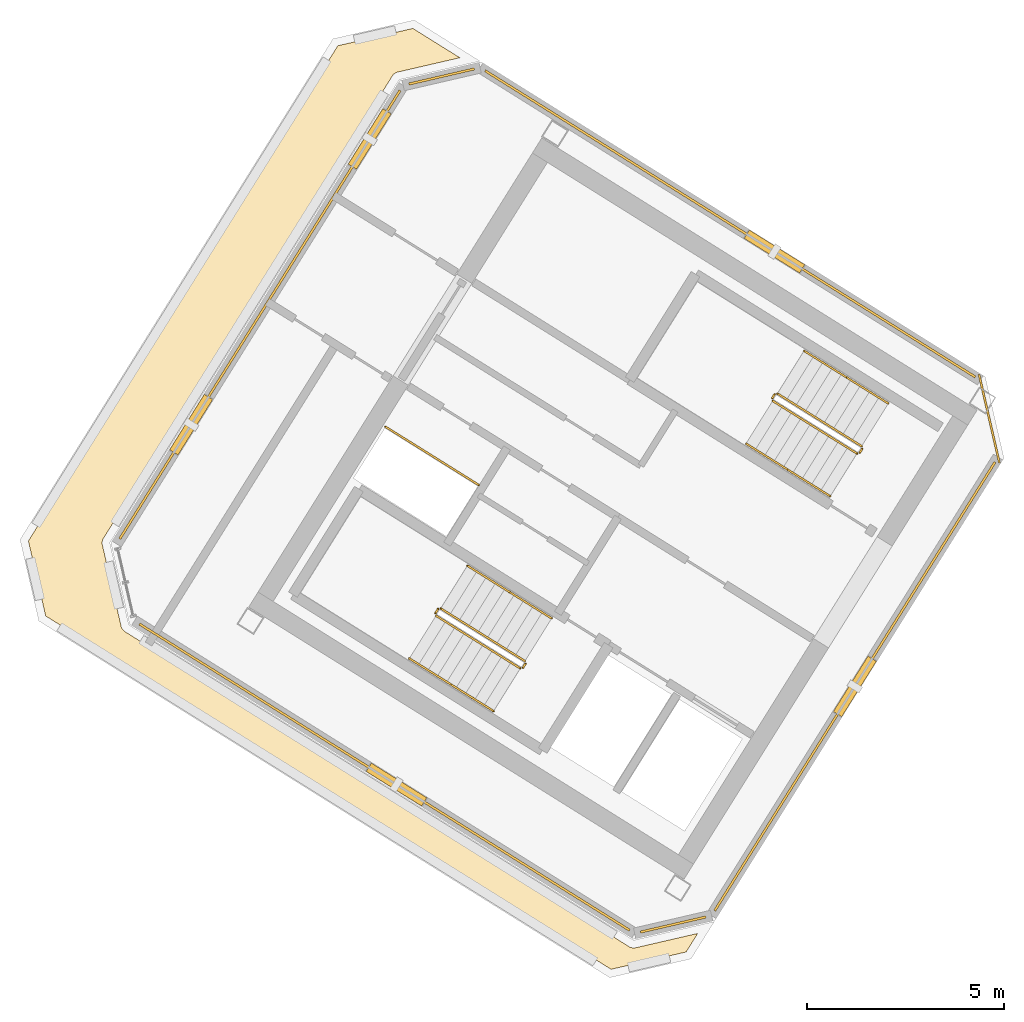
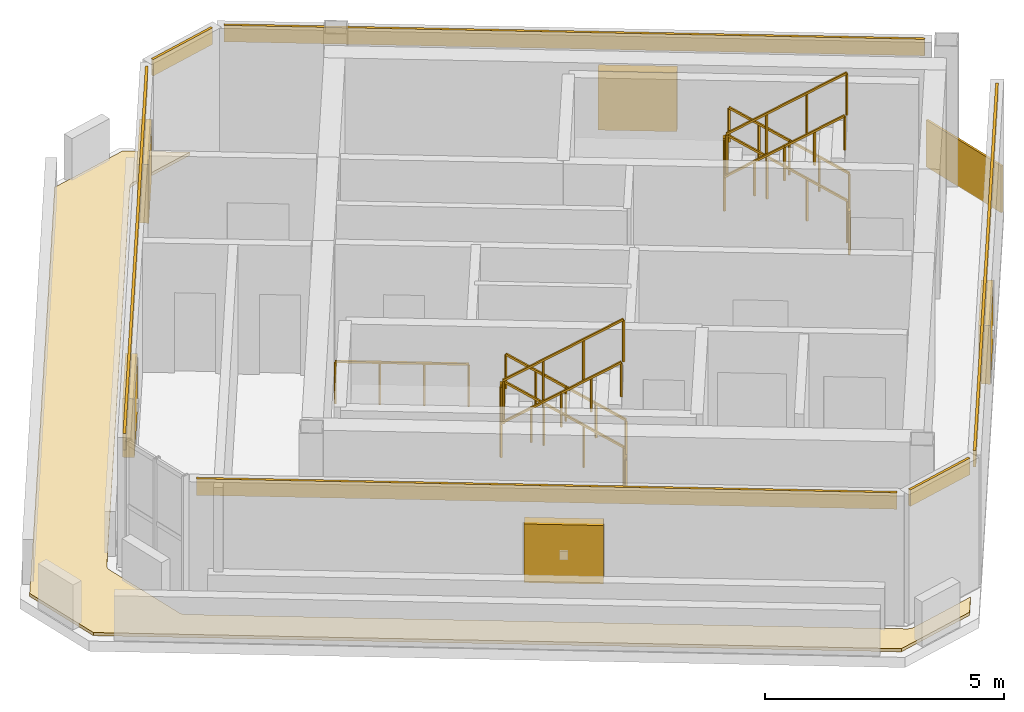
# One storey, part 6 of 6: 17 railings, 8 coverings, 5 shading devices.
"""IFC4 building model written with IfcOpenShell, lengths in metres."""

from ifc_helpers import new_model, si_unit, direction, frame, origin, origin_2d, place, context, subcontext, project, spatial, polyline, rectangle, outline, extrude, source, transform, mapped, material, layer, layer_set, type_object, element, save


model = new_model("IFC4")

# Units and contexts
model_context = context("Model", 3, precision=1e-05, world=origin(), true_north=direction((0.0, 1.0)))
body_context = subcontext(model_context, "Body", "Model", "MODEL_VIEW")
ifc_project = project(units=[si_unit("LENGTHUNIT", "METRE"), si_unit("AREAUNIT", "SQUARE_METRE"), si_unit("VOLUMEUNIT", "CUBIC_METRE"), si_unit("PLANEANGLEUNIT", "RADIAN"), si_unit("MASSUNIT", "GRAM", prefix="KILO")], contexts=[model_context])

# Site, building, storey
site_placement = place(None, origin())
site = spatial("IfcSite", under=ifc_project, at=site_placement, CompositionType="ELEMENT")
building_placement = place(site_placement, origin())
building = spatial("IfcBuilding", under=site, at=building_placement, Name="Tlacorven Tower", CompositionType="ELEMENT")
storey_placement = place(building_placement, frame((0.0, 0.0, 313.199951171875)))
storey = spatial("IfcBuildingStorey", under=building, at=storey_placement, Name="L80", CompositionType="ELEMENT", Elevation=313.199951171875)

# Covering
ifc_material_1 = material(Name="EPDM waterproofing membrane and rigid insulation")
ifc_layer_1 = layer(ifc_material_1, 0.080078125)
ifc_layer_set_1 = layer_set([ifc_layer_1], Name="EPDM waterproofing membrane and rigid insulation")
covering_type_1 = type_object("IfcCoveringType", Name="CV-ROF-MEMB", PredefinedType="ROOFING", material=ifc_layer_set_1)
covering_1_placement = place(storey_placement, origin())
element("IfcCovering", 1, at=covering_1_placement, inside=storey, type_object=covering_type_1, Name="L80 Stepped Crown Waterproofing Membrane 1.1", PredefinedType="ROOFING", context=body_context, shape_type="SweptSolid", body=[
    extrude(outline(polyline([(33.256591796875, 10.461181640625), (31.35107421875, 10.021240234375), (16.989990234375, 18.9951171875), (16.550048828125, 20.900634765625), (24.4111328125, 33.480712890625), (26.316650390625, 33.920654296875), (27.509033203125, 33.175537109375), (25.931884765625, 32.8115234375), (25.92236328125, 32.80908203125), (25.920654296875, 32.80859375), (25.90185546875, 32.80224609375), (25.900146484375, 32.801513671875), (25.88232421875, 32.79345703125), (25.88037109375, 32.792724609375), (25.863525390625, 32.782958984375), (25.86181640625, 32.78173828125), (25.845947265625, 32.7705078125), (25.84423828125, 32.769287109375), (25.82958984375, 32.75634765625), (25.828125, 32.7548828125), (25.814697265625, 32.74072265625), (25.8134765625, 32.739013671875), (25.801513671875, 32.7236328125), (25.80029296875, 32.721923828125), (25.794921875, 32.7138671875), (18.45556640625, 20.96826171875), (18.450439453125, 20.9599609375), (18.449462890625, 20.958251953125), (18.44091796875, 20.9404296875), (18.43994140625, 20.938720703125), (18.43310546875, 20.92041015625), (18.432373046875, 20.91845703125), (18.42724609375, 20.899658203125), (18.427001953125, 20.897705078125), (18.423583984375, 20.87841796875), (18.423583984375, 20.87646484375), (18.422119140625, 20.856689453125), (18.422119140625, 20.854736328125), (18.422607421875, 20.835205078125), (18.4228515625, 20.833251953125), (18.42529296875, 20.813720703125), (18.42578125, 20.811767578125), (18.427734375, 20.80224609375), (18.90478515625, 18.7353515625), (18.9072265625, 18.725830078125), (18.907958984375, 18.723876953125), (18.9140625, 18.705322265625), (18.914794921875, 18.703369140625), (18.9228515625, 18.685546875), (18.923828125, 18.683837890625), (18.93359375, 18.666748046875), (18.9345703125, 18.6650390625), (18.946044921875, 18.649169921875), (18.947265625, 18.647705078125), (18.960205078125, 18.6328125), (18.96142578125, 18.63134765625), (18.975830078125, 18.617919921875), (18.977294921875, 18.61669921875), (18.992919921875, 18.604736328125), (18.994384765625, 18.603515625), (19.002685546875, 18.59814453125), (31.80810546875, 10.596435546875), (31.816650390625, 10.59130859375), (31.818359375, 10.590576171875), (31.8359375, 10.581787109375), (31.837646484375, 10.5810546875), (31.856201171875, 10.573974609375), (31.85791015625, 10.573486328125), (31.876953125, 10.568359375), (31.87890625, 10.56787109375), (31.898193359375, 10.564697265625), (31.900146484375, 10.564453125), (31.919677734375, 10.56298828125), (31.921630859375, 10.56298828125), (31.94140625, 10.563720703125), (31.943359375, 10.563720703125), (31.962646484375, 10.56640625), (31.964599609375, 10.566650390625), (31.974365234375, 10.568603515625), (33.55126953125, 10.9326171875), (33.256591796875, 10.461181640625)])), origin(), (0.0, 0.0, 1.0), 0.080078125),
])

# Railing
ifc_material_2 = material(Name="Aluminium and painted steel balustrade", Category="steel")
railing_type_1 = type_object("IfcRailingType", Name="RL-GRD-1100", PredefinedType="GUARDRAIL", material=ifc_material_2)
shared_shape_1 = source(origin(), body_context, "Body", "SweptSolid", [
    extrude(rectangle(XDim=0.048095703125, YDim=0.048095703125, at=origin_2d()), frame((0.0, 0.0, 1.076171875), z_axis=(-0.848091358275, 0.529850024081, 0.0), x_axis=(-0.529850024081, -0.848091358275, 0.0)), (0.0, 0.0, 1.0), 2.800048828125),
    extrude(rectangle(XDim=0.0419921875, YDim=0.0419921875, at=origin_2d()), origin(), (0.0, 0.0, 1.0), 1.052001953125),
    extrude(rectangle(XDim=0.0419921875, YDim=0.0419921875, at=origin_2d()), frame((-0.79150390625, 0.49462890625, 0.0)), (0.0, 0.0, 1.0), 1.052001953125),
    extrude(rectangle(XDim=0.0419921875, YDim=0.0419921875, at=origin_2d()), frame((-1.583251953125, 0.989013671875, 0.0)), (0.0, 0.0, 1.0), 1.052001953125),
    extrude(rectangle(XDim=0.0419921875, YDim=0.0419921875, at=origin_2d()), frame((-2.374755859375, 1.483642578125, 0.0)), (0.0, 0.0, 1.0), 1.052001953125),
])
railing_1_placement = place(storey_placement, frame((27.9912109375, 22.32080078125, 0.0)))
element("IfcRailing", 2, at=railing_1_placement, inside=storey, type_object=railing_type_1, Name="L80 Electrical Riser W Shaft Guard 1", PredefinedType="GUARDRAIL", context=body_context, shape_type="MappedRepresentation", body=[
    mapped(shared_shape_1, transform((0.0, 0.0, 0.0), scale=1.0)),
])

# Shading devices
ifc_material_3 = material(Name="Anodised bronze aluminium acoustic louvre", Category="aluminium")
shading_device_type = type_object("IfcShadingDeviceType", Name="SH-LVR-WND", PredefinedType="JALOUSIE", material=ifc_material_3)
shared_shape_2 = source(origin(), body_context, "Body", "SweptSolid", [
    extrude(rectangle(XDim=1.659912109375, YDim=0.25, at=origin_2d()), origin(), (0.0, 0.0, 1.0), 1.5),
])
for number, where, z_axis, x_axis, name in (
    (3, (37.542724609375, 17.20703125, 0.900146484375), (0.0, 0.0, 1.0), (-0.529919044746, -0.848048233307, 0.0), "L80 Storm-Resistant Acoustic Louvre Bank 1.1"),
    (4, (25.900146484375, 14.712646484375, 0.900146484375), (0.0, 0.0, 1.0), (-0.848048192344, 0.5299191103, 0.0), "L80 Storm-Resistant Acoustic Louvre Bank 3.1"),
    (5, (20.683837890625, 23.85498046875, 0.900146484375), (0.0, 0.0, 1.0), (0.529919369218, 0.848048030554, 0.0), "L80 Storm-Resistant Acoustic Louvre Bank 4.1"),
    (6, (25.21826171875, 31.11181640625, 0.900146484375), (0.0, 0.0, 1.0), (0.529919369218, 0.848048030554, 0.0), "L80 Storm-Resistant Acoustic Louvre Bank 4.2"),
    (7, (35.50146484375, 28.252197265625, 0.900146484375), (0.0, 0.0, 1.0), (0.848048192344, -0.5299191103, 0.0), "L80 Storm-Resistant Acoustic Louvre Bank 6.1"),
):
    element("IfcShadingDevice", number, at=place(storey_placement, frame(where, z_axis=z_axis, x_axis=x_axis)), inside=storey, type_object=shading_device_type, Name=name, PredefinedType="JALOUSIE", context=body_context, shape_type="MappedRepresentation", body=[
        mapped(shared_shape_2, transform((0.0, 0.0, 0.0), scale=1.0)),
    ])

# Coverings
ifc_material_4 = material(Name="Precast concrete C45/55", Category="concrete")
ifc_layer_2 = layer(ifc_material_4, 0.06005859375)
ifc_layer_set_2 = layer_set([ifc_layer_2], Name="Precast concrete C45/55")
covering_type_2 = type_object("IfcCoveringType", Name="CV-CLD-TERC", PredefinedType="CLADDING", material=ifc_layer_set_2)
shared_shape_3 = source(origin(), body_context, "Body", "SweptSolid", [
    extrude(rectangle(XDim=2.305419921875, YDim=0.050048828125, at=origin_2d()), origin(), (0.0, 0.0, 1.0), 1.199951171875),
])
covering_2_placement = place(storey_placement, frame((40.9560546875, 24.007568359375, -0.02001953125), z_axis=(0.0, 0.0, 1.0), x_axis=(0.22494970827, -0.97437037555, 0.0)))
element("IfcCovering", 8, at=covering_2_placement, inside=storey, type_object=covering_type_2, Name="L80 Crown Chamfer Spandrel Closure 1", PredefinedType="CLADDING", context=body_context, shape_type="MappedRepresentation", body=[
    mapped(shared_shape_3, transform((0.0, 0.0, 0.0), scale=1.0)),
])
shared_shape_4 = source(origin(), body_context, "Body", "SweptSolid", [
    extrude(rectangle(XDim=1.705322265625, YDim=0.06005859375, at=origin_2d()), origin(), (0.0, 0.0, 1.0), 0.419921875),
])
for number, where, z_axis, x_axis, name in (
    (9, (32.9267578125, 11.157958984375, 2.900146484375), (0.0, 0.0, 1.0), (-0.97437037555, -0.22494970827, 0.0), "L80 Masonry-Frame Spandrel Cladding 2"),
    (10, (27.04638671875, 32.699462890625, 2.900146484375), (0.0, 0.0, 1.0), (0.974369342296, 0.224954183764, 0.0), "L80 Masonry-Frame Spandrel Cladding 5"),
):
    element("IfcCovering", number, at=place(storey_placement, frame(where, z_axis=z_axis, x_axis=x_axis)), inside=storey, type_object=covering_type_2, Name=name, PredefinedType="CLADDING", context=body_context, shape_type="MappedRepresentation", body=[
        mapped(shared_shape_4, transform((0.0, 0.0, 0.0), scale=1.0)),
    ])
shared_shape_5 = source(origin(), body_context, "Body", "SweptSolid", [
    extrude(rectangle(XDim=13.43408203125, YDim=0.06005859375, at=origin_2d()), origin(), (0.0, 0.0, 1.0), 0.419921875),
])
for number, where, z_axis, x_axis, name in (
    (11, (37.542724609375, 17.20703125, 2.900146484375), (0.0, 0.0, 1.0), (-0.529919044746, -0.848048233307, 0.0), "L80 Masonry-Frame Spandrel Cladding 1"),
    (12, (22.430419921875, 26.650146484375, 2.900146484375), (0.0, 0.0, 1.0), (0.529919369218, 0.848048030554, 0.0), "L80 Masonry-Frame Spandrel Cladding 4"),
):
    element("IfcCovering", number, at=place(storey_placement, frame(where, z_axis=z_axis, x_axis=x_axis)), inside=storey, type_object=covering_type_2, Name=name, PredefinedType="CLADDING", context=body_context, shape_type="MappedRepresentation", body=[
        mapped(shared_shape_5, transform((0.0, 0.0, 0.0), scale=1.0)),
    ])
shared_shape_6 = source(origin(), body_context, "Body", "SweptSolid", [
    extrude(rectangle(XDim=14.68408203125, YDim=0.06005859375, at=origin_2d()), origin(), (0.0, 0.0, 1.0), 0.419921875),
])
for number, where, z_axis, x_axis, name in (
    (13, (25.59619140625, 14.902587890625, 2.900146484375), (0.0, 0.0, 1.0), (-0.848048192344, 0.5299191103, 0.0), "L80 Masonry-Frame Spandrel Cladding 3"),
    (14, (34.376953125, 28.954833984375, 2.900146484375), (0.0, 0.0, 1.0), (0.848048192344, -0.5299191103, 0.0), "L80 Masonry-Frame Spandrel Cladding 6"),
):
    element("IfcCovering", number, at=place(storey_placement, frame(where, z_axis=z_axis, x_axis=x_axis)), inside=storey, type_object=covering_type_2, Name=name, PredefinedType="CLADDING", context=body_context, shape_type="MappedRepresentation", body=[
        mapped(shared_shape_6, transform((0.0, 0.0, 0.0), scale=1.0)),
    ])

# Railings
shared_shape_7 = source(origin(), body_context, "Body", "SweptSolid", [
    extrude(rectangle(XDim=0.048095703125, YDim=0.048095703125, at=origin_2d()), frame((0.0, 0.0, 1.076171875), z_axis=(-0.529084052582, -0.848569422795, 0.0), x_axis=(0.848569422795, -0.529084052582, 0.0)), (0.0, 0.0, 1.0), 0.119873046875),
    extrude(rectangle(XDim=0.0419921875, YDim=0.0419921875, at=origin_2d()), origin(), (0.0, 0.0, 1.0), 1.052001953125),
    extrude(rectangle(XDim=0.0419921875, YDim=0.0419921875, at=origin_2d()), frame((-0.0634765625, -0.101806640625, 0.0)), (0.0, 0.0, 1.0), 1.052001953125),
])
railing_2_placement = place(storey_placement, frame((29.176513671875, 17.782958984375, 0.0)))
element("IfcRailing", 15, at=railing_2_placement, inside=storey, type_object=railing_type_1, Name="L80 ST-W1 stair guard 4", PredefinedType="GUARDRAIL", context=body_context, shape_type="MappedRepresentation", body=[
    mapped(shared_shape_7, transform((0.0, 0.0, 0.0), scale=1.0)),
])
shared_shape_8 = source(origin(), body_context, "Body", "SweptSolid", [
    extrude(rectangle(XDim=0.048095703125, YDim=0.048095703125, at=origin_2d()), frame((0.0, 0.0, 1.076171875), z_axis=(-0.713319727316, 0.445773895627, 0.540796265334), x_axis=(-0.529955395941, -0.84802551749, 0.0)), (0.0, 0.0, 1.0), 2.995849609375),
    extrude(rectangle(XDim=0.0419921875, YDim=0.0419921875, at=origin_2d()), origin(), (0.0, 0.0, 1.0), 1.052001953125),
    extrude(rectangle(XDim=0.0419921875, YDim=0.0419921875, at=origin_2d()), frame((-0.71240234375, 0.445068359375, 0.5400390625)), (0.0, 0.0, 1.0), 1.052001953125),
    extrude(rectangle(XDim=0.0419921875, YDim=0.0419921875, at=origin_2d()), frame((-1.424560546875, 0.890380859375, 1.080078125)), (0.0, 0.0, 1.0), 1.052001953125),
    extrude(rectangle(XDim=0.0419921875, YDim=0.0419921875, at=origin_2d()), frame((-2.136962890625, 1.33544921875, 1.6201171875)), (0.0, 0.0, 1.0), 1.052001953125),
])
for number, where, name in (
    (16, (29.16064453125, 17.851806640625, 0.179931640625), "L80 ST-W1 stair guard 1"),
    (17, (37.712158203125, 23.3095703125, 0.179931640625), "L80 ST-W2 stair guard 1"),
):
    element("IfcRailing", number, at=place(storey_placement, frame(where)), inside=storey, type_object=railing_type_1, Name=name, PredefinedType="GUARDRAIL", context=body_context, shape_type="MappedRepresentation", body=[
        mapped(shared_shape_8, transform((0.0, 0.0, 0.0), scale=1.0)),
    ])
shared_shape_9 = source(origin(), body_context, "Body", "SweptSolid", [
    extrude(rectangle(XDim=0.048095703125, YDim=0.048095703125, at=origin_2d()), frame((0.0, 0.0, 1.076171875), z_axis=(-0.530546985787, -0.847655529016, 0.0), x_axis=(0.847655529016, -0.530546985787, 0.0)), (0.0, 0.0, 1.0), 0.1201171875),
    extrude(rectangle(XDim=0.0419921875, YDim=0.0419921875, at=origin_2d()), origin(), (0.0, 0.0, 1.0), 1.052001953125),
    extrude(rectangle(XDim=0.0419921875, YDim=0.0419921875, at=origin_2d()), frame((-0.063720703125, -0.101806640625, 0.0)), (0.0, 0.0, 1.0), 1.052001953125),
])
for number, where, name in (
    (18, (26.954833984375, 19.17138671875, 1.800048828125), "L80 ST-W1 stair guard 2"),
    (19, (37.728271484375, 23.24072265625, 0.0), "L80 ST-W2 stair guard 4"),
):
    element("IfcRailing", number, at=place(storey_placement, frame(where)), inside=storey, type_object=railing_type_1, Name=name, PredefinedType="GUARDRAIL", context=body_context, shape_type="MappedRepresentation", body=[
        mapped(shared_shape_9, transform((0.0, 0.0, 0.0), scale=1.0)),
    ])
shared_shape_10 = source(origin(), body_context, "Body", "SweptSolid", [
    extrude(rectangle(XDim=0.048095703125, YDim=0.048095703125, at=origin_2d()), frame((0.0, 0.0, 1.076171875), z_axis=(0.713359751793, -0.4457479829, 0.540764828981), x_axis=(0.529911857636, 0.848052724267, 0.0)), (0.0, 0.0, 1.0), 2.99609375),
    extrude(rectangle(XDim=0.0419921875, YDim=0.0419921875, at=origin_2d()), origin(), (0.0, 0.0, 1.0), 1.052001953125),
    extrude(rectangle(XDim=0.0419921875, YDim=0.0419921875, at=origin_2d()), frame((0.71240234375, -0.445068359375, 0.5400390625)), (0.0, 0.0, 1.0), 1.052001953125),
    extrude(rectangle(XDim=0.0419921875, YDim=0.0419921875, at=origin_2d()), frame((1.4248046875, -0.890380859375, 1.080078125)), (0.0, 0.0, 1.0), 1.052001953125),
    extrude(rectangle(XDim=0.0419921875, YDim=0.0419921875, at=origin_2d()), frame((2.13720703125, -1.33544921875, 1.6201171875)), (0.0, 0.0, 1.0), 1.052001953125),
])
railing_3_placement = place(storey_placement, frame((26.906982421875, 19.000732421875, 1.97998046875)))
element("IfcRailing", 20, at=railing_3_placement, inside=storey, type_object=railing_type_1, Name="L80 ST-W1 stair guard 3", PredefinedType="GUARDRAIL", context=body_context, shape_type="MappedRepresentation", body=[
    mapped(shared_shape_10, transform((0.0, 0.0, 0.0), scale=1.0)),
])
railing_type_2 = type_object("IfcRailingType", Name="RL-HND-0900", PredefinedType="HANDRAIL", material=ifc_material_2)
shared_shape_11 = source(origin(), body_context, "Body", "SweptSolid", [
    extrude(rectangle(XDim=0.048095703125, YDim=0.048095703125, at=origin_2d()), frame((0.0, 0.0, 0.8759765625), z_axis=(-0.713359751793, 0.4457479829, 0.540764828981), x_axis=(-0.529911857636, -0.848052724267, 0.0)), (0.0, 0.0, 1.0), 1.498046875),
    extrude(rectangle(XDim=0.0419921875, YDim=0.0419921875, at=origin_2d()), origin(), (0.0, 0.0, 1.0), 0.851806640625),
    extrude(rectangle(XDim=0.0419921875, YDim=0.0419921875, at=origin_2d()), frame((-0.5341796875, 0.333984375, 0.405029296875)), (0.0, 0.0, 1.0), 0.851806640625),
    extrude(rectangle(XDim=0.0419921875, YDim=0.0419921875, at=origin_2d()), frame((-1.068603515625, 0.667724609375, 0.81005859375)), (0.0, 0.0, 1.0), 0.851806640625),
])
for number, where, name in (
    (21, (29.839111328125, 18.937255859375, 0.179931640625), "L80 ST-W1 stair handrail 1"),
    (22, (28.7705078125, 19.60498046875, 0.989990234375), "L80 ST-W1 stair handrail 2"),
    (23, (38.390625, 24.39501953125, 0.179931640625), "L80 ST-W2 stair handrail 1"),
    (24, (37.322021484375, 25.062744140625, 0.989990234375), "L80 ST-W2 stair handrail 2"),
):
    element("IfcRailing", number, at=place(storey_placement, frame(where)), inside=storey, type_object=railing_type_2, Name=name, PredefinedType="HANDRAIL", context=body_context, shape_type="MappedRepresentation", body=[
        mapped(shared_shape_11, transform((0.0, 0.0, 0.0), scale=1.0)),
    ])
shared_shape_12 = source(origin(), body_context, "Body", "SweptSolid", [
    extrude(rectangle(XDim=0.048095703125, YDim=0.048095703125, at=origin_2d()), frame((0.0, 0.0, 0.8759765625), z_axis=(0.713359751793, -0.4457479829, 0.540764828981), x_axis=(0.529911857636, 0.848052724267, 0.0)), (0.0, 0.0, 1.0), 1.498046875),
    extrude(rectangle(XDim=0.0419921875, YDim=0.0419921875, at=origin_2d()), origin(), (0.0, 0.0, 1.0), 0.851806640625),
    extrude(rectangle(XDim=0.0419921875, YDim=0.0419921875, at=origin_2d()), frame((0.5341796875, -0.333984375, 0.405029296875)), (0.0, 0.0, 1.0), 0.851806640625),
    extrude(rectangle(XDim=0.0419921875, YDim=0.0419921875, at=origin_2d()), frame((1.068603515625, -0.667724609375, 0.81005859375)), (0.0, 0.0, 1.0), 0.851806640625),
])
for number, where, name in (
    (25, (26.228759765625, 17.915283203125, 1.97998046875), "L80 ST-W1 stair handrail 3"),
    (26, (34.7802734375, 23.372802734375, 1.97998046875), "L80 ST-W2 stair handrail 3"),
    (27, (35.848876953125, 22.705078125, 2.7900390625), "L80 ST-W2 stair handrail 4"),
):
    element("IfcRailing", number, at=place(storey_placement, frame(where)), inside=storey, type_object=railing_type_2, Name=name, PredefinedType="HANDRAIL", context=body_context, shape_type="MappedRepresentation", body=[
        mapped(shared_shape_12, transform((0.0, 0.0, 0.0), scale=1.0)),
    ])
shared_shape_13 = source(origin(), body_context, "Body", "SweptSolid", [
    extrude(rectangle(XDim=0.048095703125, YDim=0.048095703125, at=origin_2d()), frame((0.0, 0.0, 0.8759765625), z_axis=(0.713279695859, -0.445799809912, 0.540827703579), x_axis=(0.529998940003, 0.847998304005, 0.0)), (0.0, 0.0, 1.0), 1.497802734375),
    extrude(rectangle(XDim=0.0419921875, YDim=0.0419921875, at=origin_2d()), origin(), (0.0, 0.0, 1.0), 0.851806640625),
    extrude(rectangle(XDim=0.0419921875, YDim=0.0419921875, at=origin_2d()), frame((0.5341796875, -0.333984375, 0.405029296875)), (0.0, 0.0, 1.0), 0.851806640625),
    extrude(rectangle(XDim=0.0419921875, YDim=0.0419921875, at=origin_2d()), frame((1.068359375, -0.667724609375, 0.81005859375)), (0.0, 0.0, 1.0), 0.851806640625),
])
railing_4_placement = place(storey_placement, frame((27.29736328125, 17.24755859375, 2.7900390625)))
element("IfcRailing", 28, at=railing_4_placement, inside=storey, type_object=railing_type_2, Name="L80 ST-W1 stair handrail 4", PredefinedType="HANDRAIL", context=body_context, shape_type="MappedRepresentation", body=[
    mapped(shared_shape_13, transform((0.0, 0.0, 0.0), scale=1.0)),
])
shared_shape_14 = source(origin(), body_context, "Body", "SweptSolid", [
    extrude(rectangle(XDim=0.048095703125, YDim=0.048095703125, at=origin_2d()), frame((0.0, 0.0, 1.076171875), z_axis=(-0.531462422766, -0.847081869236, 0.0), x_axis=(0.847081869236, -0.531462422766, 0.0)), (0.0, 0.0, 1.0), 0.119873046875),
    extrude(rectangle(XDim=0.0419921875, YDim=0.0419921875, at=origin_2d()), origin(), (0.0, 0.0, 1.0), 1.052001953125),
    extrude(rectangle(XDim=0.0419921875, YDim=0.0419921875, at=origin_2d()), frame((-0.063720703125, -0.1015625, 0.0)), (0.0, 0.0, 1.0), 1.052001953125),
])
railing_5_placement = place(storey_placement, frame((35.50634765625, 24.62890625, 1.800048828125)))
element("IfcRailing", 29, at=railing_5_placement, inside=storey, type_object=railing_type_1, Name="L80 ST-W2 stair guard 2", PredefinedType="GUARDRAIL", context=body_context, shape_type="MappedRepresentation", body=[
    mapped(shared_shape_14, transform((0.0, 0.0, 0.0), scale=1.0)),
])
shared_shape_15 = source(origin(), body_context, "Body", "SweptSolid", [
    extrude(rectangle(XDim=0.048095703125, YDim=0.048095703125, at=origin_2d()), frame((0.0, 0.0, 1.076171875), z_axis=(0.713385662783, -0.445682681033, 0.540784470897), x_axis=(0.52984217967, 0.848096259066, 0.0)), (0.0, 0.0, 1.0), 2.995849609375),
    extrude(rectangle(XDim=0.0419921875, YDim=0.0419921875, at=origin_2d()), origin(), (0.0, 0.0, 1.0), 1.052001953125),
    extrude(rectangle(XDim=0.0419921875, YDim=0.0419921875, at=origin_2d()), frame((0.71240234375, -0.445068359375, 0.5400390625)), (0.0, 0.0, 1.0), 1.052001953125),
    extrude(rectangle(XDim=0.0419921875, YDim=0.0419921875, at=origin_2d()), frame((1.4248046875, -0.89013671875, 1.080078125)), (0.0, 0.0, 1.0), 1.052001953125),
    extrude(rectangle(XDim=0.0419921875, YDim=0.0419921875, at=origin_2d()), frame((2.13720703125, -1.335205078125, 1.6201171875)), (0.0, 0.0, 1.0), 1.052001953125),
])
railing_6_placement = place(storey_placement, frame((35.45849609375, 24.458251953125, 1.97998046875)))
element("IfcRailing", 30, at=railing_6_placement, inside=storey, type_object=railing_type_1, Name="L80 ST-W2 stair guard 3", PredefinedType="GUARDRAIL", context=body_context, shape_type="MappedRepresentation", body=[
    mapped(shared_shape_15, transform((0.0, 0.0, 0.0), scale=1.0)),
])

save(model, "model.ifc")
